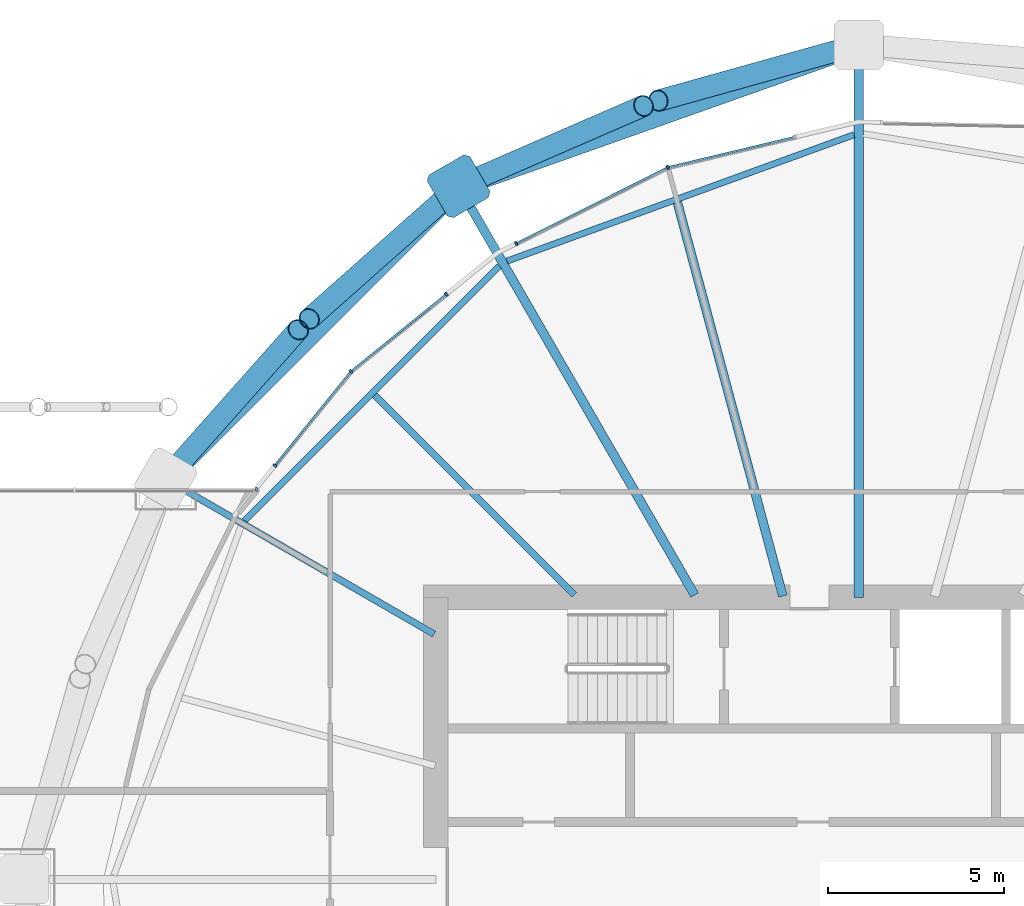
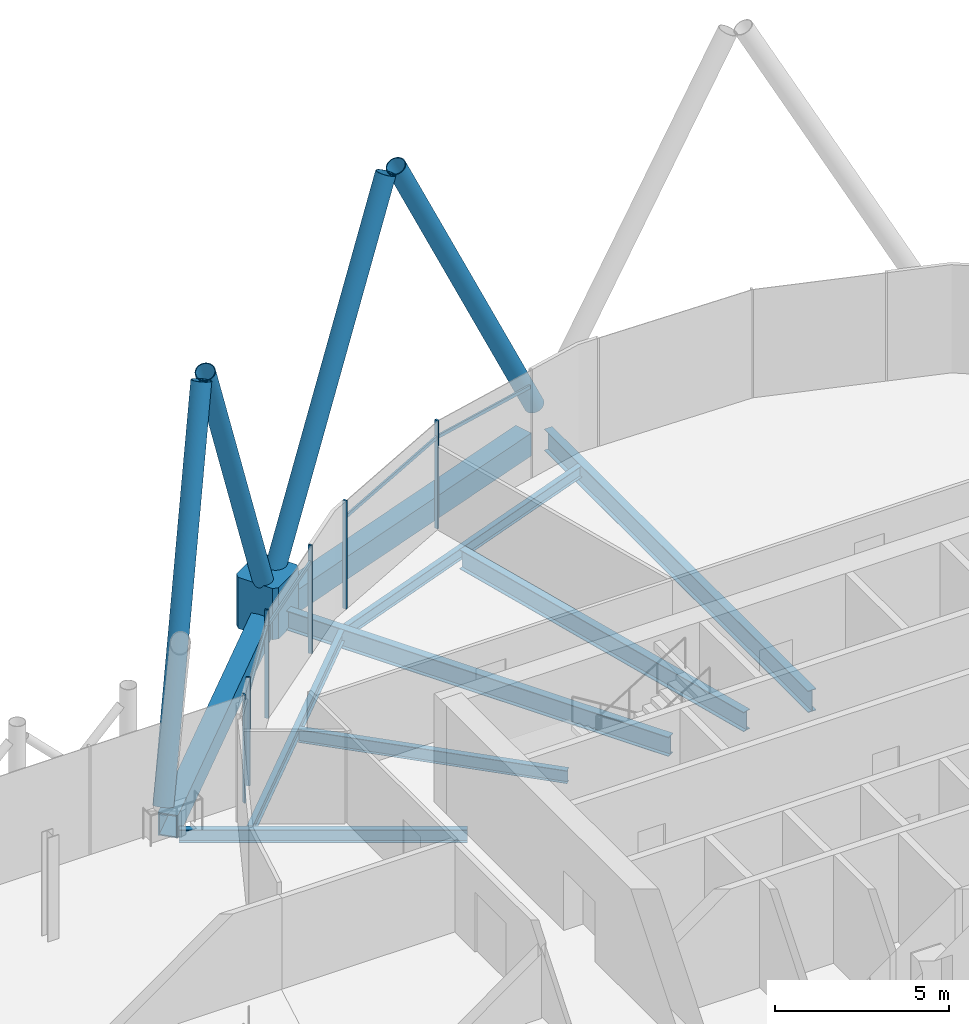
# One storey, part 17 of 35: 15 members, 9 beams, 2 elements without a shape of their own.
"""IFC4 building model written with IfcOpenShell, lengths in metres."""

from ifc_helpers import new_model, si_unit, direction, frame, origin, origin_2d, place, context, subcontext, project, spatial, polyline, rectangle, hollow_rectangle, hollow_circle, i_section, outline, extrude, material, material_profile, profile_set, type_object, element, aggregate, save


model = new_model("IFC4")

# Units and contexts
model_context = context("Model", 3, precision=1e-05, world=origin(), true_north=direction((0.0, 1.0)))
body_context = subcontext(model_context, "Body", "Model", "MODEL_VIEW")
ifc_project = project(units=[si_unit("LENGTHUNIT", "METRE"), si_unit("AREAUNIT", "SQUARE_METRE"), si_unit("VOLUMEUNIT", "CUBIC_METRE"), si_unit("PLANEANGLEUNIT", "RADIAN"), si_unit("MASSUNIT", "GRAM", prefix="KILO")], contexts=[model_context])

# Site, building, storey
site_placement = place(None, origin())
site = spatial("IfcSite", under=ifc_project, at=site_placement, CompositionType="ELEMENT")
building_placement = place(site_placement, origin())
building = spatial("IfcBuilding", under=site, at=building_placement, Name="Rimbun Link Towers", CompositionType="ELEMENT")
storey_placement = place(building_placement, frame((0.0, 0.0, 146.800048828125)))
storey = spatial("IfcBuildingStorey", under=building, at=storey_placement, Name="L35", CompositionType="ELEMENT", Elevation=146.800048828125)

# Curtain wall, members
ifc_material_1 = material(Name="Aluminium 6063-T6 and low-iron glass", Category="aluminium")
curtain_wall_type = type_object("IfcCurtainWallType", Name="CW4 link block wall", PredefinedType="NOTDEFINED", material=ifc_material_1)
curtain_wall_1_placement = place(storey_placement, origin())
curtain_wall_1 = element("IfcCurtainWall", 1, at=curtain_wall_1_placement, inside=storey, type_object=curtain_wall_type, Name="CW4 L35 T2", PredefinedType="NOTDEFINED")
ifc_material_2 = material(Name="Aluminium 6063-T6", Category="aluminium")
ifc_material_profile_1 = material_profile(ifc_material_2, rectangle(XDim=0.1201171875, YDim=0.06005859375, at=origin_2d()), Name="MULLION 60X120")
ifc_profile_set_1 = profile_set([ifc_material_profile_1], Name="Aluminium 6063-T6")
member_type_1 = type_object("IfcMemberType", Name="CW4 mullion 60X120", PredefinedType="MULLION", material=ifc_profile_set_1)
member_1_placement = place(storey_placement, frame((26.332763671875, 20.197021484375, 0.0), z_axis=(0.0, 0.0, 1.0), x_axis=(-0.342963066451, 0.939348888886, 0.0)))
member_1 = element("IfcMember", 2, at=member_1_placement, type_object=member_type_1, Name="CW4 mullion", PredefinedType="MULLION", context=body_context, shape_type="SweptSolid", body=[
    extrude(rectangle(XDim=0.1201171875, YDim=0.06005859375, at=origin_2d()), origin(), (0.0, 0.0, 1.0), 3.800048828125),
])
member_2_placement = place(storey_placement, frame((22.03173828125, 18.03759765625, 0.0), z_axis=(0.0, 0.0, 1.0), x_axis=(-0.448781608432, 0.893641464981, 0.0)))
member_2 = element("IfcMember", 3, at=member_2_placement, type_object=member_type_1, Name="CW4 mullion", PredefinedType="MULLION", context=body_context, shape_type="SweptSolid", body=[
    extrude(rectangle(XDim=0.1201171875, YDim=0.06005859375, at=origin_2d()), origin(), (0.0, 0.0, 1.0), 3.800048828125),
])
member_3_placement = place(storey_placement, frame((17.34228515625, 14.40771484375, 0.0), z_axis=(0.0, 0.0, 1.0), x_axis=(-0.707106781187, 0.707106781187, 0.0)))
member_3 = element("IfcMember", 4, at=member_3_placement, type_object=member_type_1, Name="CW4 mullion", PredefinedType="MULLION", context=body_context, shape_type="SweptSolid", body=[
    extrude(rectangle(XDim=0.1201171875, YDim=0.06005859375, at=origin_2d()), origin(), (0.0, 0.0, 1.0), 3.800048828125),
])
member_4_placement = place(storey_placement, frame((20.046875, 16.597412109375, 0.0), z_axis=(0.0, 0.0, 1.0), x_axis=(-0.629158779809, 0.777276803841, 0.0)))
member_4 = element("IfcMember", 5, at=member_4_placement, type_object=member_type_1, Name="CW4 mullion", PredefinedType="MULLION", context=body_context, shape_type="SweptSolid", body=[
    extrude(rectangle(XDim=0.1201171875, YDim=0.06005859375, at=origin_2d()), origin(), (0.0, 0.0, 1.0), 3.800048828125),
])
member_5_placement = place(storey_placement, frame((15.18408203125, 11.7421875, 0.0), z_axis=(0.0, 0.0, 1.0), x_axis=(-0.777276803841, 0.629158779809, 0.0)))
member_5 = element("IfcMember", 6, at=member_5_placement, type_object=member_type_1, Name="CW4 mullion", PredefinedType="MULLION", context=body_context, shape_type="SweptSolid", body=[
    extrude(rectangle(XDim=0.1201171875, YDim=0.06005859375, at=origin_2d()), origin(), (0.0, 0.0, 1.0), 3.800048828125),
])

# Curtain wall, member
curtain_wall_2_placement = place(storey_placement, origin())
curtain_wall_2 = element("IfcCurtainWall", 7, at=curtain_wall_2_placement, inside=storey, type_object=curtain_wall_type, Name="CW4 L35 LB", PredefinedType="NOTDEFINED")
member_6_placement = place(storey_placement, frame((14.66064453125, 11.06005859375, 0.0), z_axis=(0.0, 0.0, 1.0), x_axis=(0.0, 1.0, 0.0)))
member_6 = element("IfcMember", 8, at=member_6_placement, type_object=member_type_1, Name="CW4 mullion", PredefinedType="MULLION", context=body_context, shape_type="SweptSolid", body=[
    extrude(rectangle(XDim=0.1201171875, YDim=0.06005859375, at=origin_2d()), origin(), (0.0, 0.0, 1.0), 3.800048828125),
])
aggregate(curtain_wall_2, [member_6])

# Member
ifc_material_3 = material(Name="Aluminium 6063-T6", Category="aluminium")
ifc_material_profile_2 = material_profile(ifc_material_3, rectangle(XDim=0.06005859375, YDim=0.1201171875, at=origin_2d()), Name="TRANSOM 60X120")
ifc_profile_set_2 = profile_set([ifc_material_profile_2], Name="Aluminium 6063-T6")
member_type_2 = type_object("IfcMemberType", Name="CW4 transom 60X120", PredefinedType="USERDEFINED", material=ifc_profile_set_2)
member_7_placement = place(storey_placement, frame((26.368896484375, 20.2041015625, 3.199951171875), z_axis=(0.972585489627, 0.232545619967, 0.0), x_axis=(-0.232545619967, 0.972585489627, 0.0)))
member_7 = element("IfcMember", 9, at=member_7_placement, type_object=member_type_2, Name="CW4 transom", ObjectType="TRANSOM", PredefinedType="USERDEFINED", context=body_context, shape_type="SweptSolid", body=[
    extrude(rectangle(XDim=0.06005859375, YDim=0.1201171875, at=origin_2d()), origin(), (0.0, 0.0, 1.0), 3.638916015625),
])

member_8_placement = place(storey_placement, frame((22.0595703125, 18.049072265625, 3.199951171875), z_axis=(0.893633550107, 0.448797368668, 0.0), x_axis=(-0.448797368668, 0.893633550107, 0.0)))
member_8 = element("IfcMember", 10, at=member_8_placement, type_object=member_type_2, Name="CW4 transom", ObjectType="TRANSOM", PredefinedType="USERDEFINED", context=body_context, shape_type="SweptSolid", body=[
    extrude(rectangle(XDim=0.06005859375, YDim=0.1201171875, at=origin_2d()), origin(), (0.0, 0.0, 1.0), 4.745849609375),
])

member_9_placement = place(storey_placement, frame((17.37158203125, 14.42919921875, 3.199951171875), z_axis=(0.777248201938, 0.629194113596, 0.0), x_axis=(-0.629194113596, 0.777248201938, 0.0)))
member_9 = element("IfcMember", 11, at=member_9_placement, type_object=member_type_2, Name="CW4 transom", ObjectType="TRANSOM", PredefinedType="USERDEFINED", context=body_context, shape_type="SweptSolid", body=[
    extrude(rectangle(XDim=0.06005859375, YDim=0.1201171875, at=origin_2d()), origin(), (0.0, 0.0, 1.0), 3.413330078125),
])

member_10_placement = place(storey_placement, frame((15.20458984375, 11.76416015625, 3.199951171875), z_axis=(0.629181523638, 0.77725839353, 0.0), x_axis=(-0.77725839353, 0.629181523638, 0.0)))
member_10 = element("IfcMember", 12, at=member_10_placement, type_object=member_type_2, Name="CW4 transom", ObjectType="TRANSOM", PredefinedType="USERDEFINED", context=body_context, shape_type="SweptSolid", body=[
    extrude(rectangle(XDim=0.06005859375, YDim=0.1201171875, at=origin_2d()), origin(), (0.0, 0.0, 1.0), 3.363525390625),
])

aggregate(curtain_wall_1, [member_1, member_2, member_3, member_4, member_5, member_7, member_8, member_9, member_10])

# Members
ifc_material_4 = material(Name="Steel S355J2H", Category="steel")
ifc_material_profile_3 = material_profile(ifc_material_4, hollow_circle(Radius=0.3046875, WallThickness=0.02490234375, at=origin_2d()), Name="Diagrid diagonal CHS 610x25")
ifc_profile_set_3 = profile_set([ifc_material_profile_3], Name="Steel S355J2H")
member_type_3 = type_object("IfcMemberType", Name="Diagrid diagonal CHS 610x25", PredefinedType="BRACE", material=ifc_profile_set_3)
member_11_placement = place(storey_placement, frame((31.532470703125, 23.620361328125, 0.446044921875), z_axis=(-0.435251369799, -0.121506621517, 0.892071962353), x_axis=(0.268883393148, -0.963172736787, 0.0)))
element("IfcMember", 13, at=member_11_placement, inside=storey, type_object=member_type_3, Name="Diagrid diagonal T2 L35-L38 03b", PredefinedType="BRACE", context=body_context, shape_type="SweptSolid", body=[
    extrude(hollow_circle(Radius=0.3046875, WallThickness=0.02490234375, at=origin_2d()), origin(), (0.0, 0.0, 1.0), 12.56396484375),
])
member_12_placement = place(storey_placement, frame((20.599609375, 19.7509765625, 0.44873046875), z_axis=(0.404213171371, 0.175805244694, 0.89761028739), x_axis=(-0.398841326431, 0.917019954162, 0.0)))
element("IfcMember", 14, at=member_12_placement, inside=storey, type_object=member_type_3, Name="Diagrid diagonal T2 L35-L38 05a", PredefinedType="BRACE", context=body_context, shape_type="SweptSolid", body=[
    extrude(hollow_circle(Radius=0.3046875, WallThickness=0.02490234375, at=origin_2d()), origin(), (0.0, 0.0, 1.0), 12.480224609375),
])
for number, where, z_axis, x_axis, name in (
    (15, (20.23388671875, 19.517822265625, 0.449462890625), (-0.327239008275, -0.290371700263, 0.89922127819), (0.663715684922, -0.747984952782, 0.0), "Diagrid diagonal T2 L35-L38 05b"),
    (16, (12.232177734375, 11.51611328125, 0.449462890625), (0.290371700263, 0.327239008275, 0.89922127819), (-0.747984952782, 0.663715684922, 0.0), "Diagrid diagonal T2 L35-L38 07a"),
):
    element("IfcMember", number, at=place(storey_placement, frame(where, z_axis=z_axis, x_axis=x_axis)), inside=storey, type_object=member_type_3, Name=name, PredefinedType="BRACE", context=body_context, shape_type="SweptSolid", body=[
        extrude(hollow_circle(Radius=0.3046875, WallThickness=0.02490234375, at=origin_2d()), origin(), (0.0, 0.0, 1.0), 12.456298828125),
    ])
ifc_material_5 = material(Name="Cast steel G20Mn5+QT, Rp0.2 300 MPa", Category="steel")
ifc_material_profile_4 = material_profile(ifc_material_5, outline(polyline([(0.699951171875, -0.570068359375), (0.699951171875, 0.570068359375), (0.570068359375, 0.699951171875), (-0.570068359375, 0.699951171875), (-0.699951171875, 0.570068359375), (-0.699951171875, -0.570068359375), (-0.570068359375, -0.699951171875), (0.570068359375, -0.699951171875), (0.699951171875, -0.570068359375)])), Name="NODE 1400x1400")
ifc_profile_set_4 = profile_set([ifc_material_profile_4], Name="Cast steel G20Mn5+QT, Rp0.2 300 MPa")
member_type_4 = type_object("IfcMemberType", Name="Diagrid node cast 1400", PredefinedType="USERDEFINED", material=ifc_profile_set_4)
member_13_placement = place(storey_placement, frame((20.3974609375, 19.6630859375, -0.900146484375), z_axis=(0.0, 0.0, 1.0), x_axis=(-0.5, 0.866025403784, 0.0)))
element("IfcMember", 17, at=member_13_placement, inside=storey, type_object=member_type_4, Name="Diagrid node L35 05", ObjectType="Diagrid node", PredefinedType="USERDEFINED", context=body_context, shape_type="SweptSolid", body=[
    extrude(outline(polyline([(0.699951171875, -0.570068359375), (0.699951171875, 0.570068359375), (0.570068359375, 0.699951171875), (-0.570068359375, 0.699951171875), (-0.699951171875, 0.570068359375), (-0.699951171875, -0.570068359375), (-0.570068359375, -0.699951171875), (0.570068359375, -0.699951171875), (0.699951171875, -0.570068359375)])), origin(), (0.0, 0.0, 1.0), 1.800048828125),
])

# Beams
ifc_material_6 = material(Name="Steel S355J2", Category="steel")
ifc_material_profile_5 = material_profile(ifc_material_6, hollow_rectangle(XDim=0.60009765625, YDim=0.800048828125, WallThickness=0.0400390625, at=origin_2d()), Name="Exoskeleton ring girder BOX 600x800x40")
ifc_profile_set_5 = profile_set([ifc_material_profile_5], Name="Steel S355J2")
beam_type_1 = type_object("IfcBeamType", Name="Exoskeleton ring girder BOX 600x800x40", PredefinedType="BEAM", material=ifc_profile_set_5)
beam_1_placement = place(storey_placement, frame((31.090087890625, 23.447509765625, -0.56005859375), z_axis=(-0.942700295924, -0.333640753003, 0.0), x_axis=(0.333640753003, -0.942700295924, 0.0)))
element("IfcBeam", 18, at=beam_1_placement, inside=storey, type_object=beam_type_1, Name="Exoskeleton ring girder L35 01", PredefinedType="BEAM", context=body_context, shape_type="SweptSolid", body=[
    extrude(hollow_rectangle(XDim=0.60009765625, YDim=0.800048828125, WallThickness=0.0400390625, at=origin_2d()), origin(), (0.0, 0.0, 1.0), 10.642578125),
])
beam_2_placement = place(storey_placement, frame((19.902587890625, 19.168212890625, -0.56005859375), z_axis=(-0.707106781187, -0.707106781187, 0.0), x_axis=(0.707106781187, -0.707106781187, 0.0)))
element("IfcBeam", 19, at=beam_2_placement, inside=storey, type_object=beam_type_1, Name="Exoskeleton ring girder L35 02", PredefinedType="BEAM", context=body_context, shape_type="SweptSolid", body=[
    extrude(hollow_rectangle(XDim=0.60009765625, YDim=0.800048828125, WallThickness=0.0400390625, at=origin_2d()), origin(), (0.0, 0.0, 1.0), 10.353271484375),
])
ifc_material_7 = material(Name="Steel S355J2", Category="steel")
ifc_material_profile_6 = material_profile(ifc_material_7, i_section(OverallWidth=0.177978515625, OverallDepth=0.406494140625, WebThickness=0.0078125, FlangeThickness=0.0126953125, at=origin_2d()), Name="UB 406x178x60")
ifc_profile_set_6 = profile_set([ifc_material_profile_6], Name="Steel S355J2")
beam_type_2 = type_object("IfcBeamType", Name="UB 406x178x60", PredefinedType="BEAM", material=ifc_profile_set_6)
beam_3_placement = place(storey_placement, frame((31.61572265625, 21.125244140625, -0.38330078125), z_axis=(-0.9396232207, -0.342210758337, 0.0), x_axis=(0.342210758337, -0.9396232207, 0.0)))
element("IfcBeam", 20, at=beam_3_placement, inside=storey, type_object=beam_type_2, Name="Edge beam T2 L35 03-05", PredefinedType="BEAM", context=body_context, shape_type="SweptSolid", body=[
    extrude(i_section(OverallWidth=0.177978515625, OverallDepth=0.406494140625, WebThickness=0.0078125, FlangeThickness=0.0126953125, at=origin_2d()), origin(), (0.0, 0.0, 1.0), 10.477294921875),
])
beam_4_placement = place(storey_placement, frame((21.555419921875, 17.40185546875, -0.38330078125), z_axis=(-0.707106781187, -0.707106781187, 0.0), x_axis=(0.707106781187, -0.707106781187, 0.0)))
element("IfcBeam", 21, at=beam_4_placement, inside=storey, type_object=beam_type_2, Name="Edge beam T2 L35 05-07", PredefinedType="BEAM", context=body_context, shape_type="SweptSolid", body=[
    extrude(i_section(OverallWidth=0.177978515625, OverallDepth=0.406494140625, WebThickness=0.0078125, FlangeThickness=0.0126953125, at=origin_2d()), origin(), (0.0, 0.0, 1.0), 10.225830078125),
])
ifc_material_8 = material(Name="Steel S355J2", Category="steel")
ifc_material_profile_7 = material_profile(ifc_material_8, i_section(OverallWidth=0.18994140625, OverallDepth=0.453369140625, WebThickness=0.008544921875, FlangeThickness=0.0126953125, at=origin_2d()), Name="UB 457x191x67")
ifc_profile_set_7 = profile_set([ifc_material_profile_7], Name="Steel S355J2")
beam_type_3 = type_object("IfcBeamType", Name="UB 457x191x67", PredefinedType="BEAM", material=ifc_profile_set_7)
beam_5_placement = place(storey_placement, frame((23.68212890625, 8.06787109375, -0.40673828125), z_axis=(-0.707106781187, 0.707106781187, 0.0), x_axis=(-0.707106781187, -0.707106781187, 0.0)))
element("IfcBeam", 22, at=beam_5_placement, inside=storey, type_object=beam_type_3, Name="Radial beam T2 L35 06", PredefinedType="BEAM", context=body_context, shape_type="SweptSolid", body=[
    extrude(i_section(OverallWidth=0.18994140625, OverallDepth=0.453369140625, WebThickness=0.008544921875, FlangeThickness=0.0126953125, at=origin_2d()), origin(), (0.0, 0.0, 1.0), 8.013916015625),
])
beam_6_placement = place(storey_placement, frame((19.70166015625, 6.9560546875, -0.40673828125), z_axis=(-0.866016932823, 0.500014671848, 0.0), x_axis=(-0.500014671848, -0.866016932823, 0.0)))
element("IfcBeam", 23, at=beam_6_placement, inside=storey, type_object=beam_type_3, Name="Radial beam T2 L35 07", PredefinedType="BEAM", context=body_context, shape_type="SweptSolid", body=[
    extrude(i_section(OverallWidth=0.18994140625, OverallDepth=0.453369140625, WebThickness=0.008544921875, FlangeThickness=0.0126953125, at=origin_2d()), origin(), (0.0, 0.0, 1.0), 8.292724609375),
])
ifc_material_9 = material(Name="Steel S355J2", Category="steel")
ifc_material_profile_8 = material_profile(ifc_material_9, i_section(OverallWidth=0.253662109375, OverallDepth=0.68359375, WebThickness=0.012451171875, FlangeThickness=0.01904296875, at=origin_2d()), Name="UB 686x254x140")
ifc_profile_set_8 = profile_set([ifc_material_profile_8], Name="Steel S355J2")
beam_type_4 = type_object("IfcBeamType", Name="UB 686x254x140", PredefinedType="BEAM", material=ifc_profile_set_8)
beam_7_placement = place(storey_placement, frame((29.597412109375, 8.03369140625, -0.521728515625), z_axis=(-0.25881874375, 0.965925907036, 0.0), x_axis=(-0.965925907036, -0.25881874375, 0.0)))
element("IfcBeam", 24, at=beam_7_placement, inside=storey, type_object=beam_type_4, Name="Radial beam T2 L35 04", PredefinedType="BEAM", context=body_context, shape_type="SweptSolid", body=[
    extrude(i_section(OverallWidth=0.253662109375, OverallDepth=0.68359375, WebThickness=0.012451171875, FlangeThickness=0.01904296875, at=origin_2d()), origin(), (0.0, 0.0, 1.0), 11.564697265625),
])
beam_8_placement = place(storey_placement, frame((27.093994140625, 8.064208984375, -0.521728515625), z_axis=(-0.49999837302, 0.86602634312, 0.0), x_axis=(-0.86602634312, -0.49999837302, 0.0)))
element("IfcBeam", 25, at=beam_8_placement, inside=storey, type_object=beam_type_4, Name="Radial beam T2 L35 05", PredefinedType="BEAM", context=body_context, shape_type="SweptSolid", body=[
    extrude(i_section(OverallWidth=0.253662109375, OverallDepth=0.68359375, WebThickness=0.012451171875, FlangeThickness=0.01904296875, at=origin_2d()), origin(), (0.0, 0.0, 1.0), 12.89306640625),
])
ifc_material_10 = material(Name="Steel S355J2", Category="steel")
ifc_material_profile_9 = material_profile(ifc_material_10, i_section(OverallWidth=0.2666015625, OverallDepth=0.76220703125, WebThickness=0.014404296875, FlangeThickness=0.021484375, at=origin_2d()), Name="UB 762x267x173")
ifc_profile_set_9 = profile_set([ifc_material_profile_9], Name="Steel S355J2")
beam_type_5 = type_object("IfcBeamType", Name="UB 762x267x173", PredefinedType="BEAM", material=ifc_profile_set_9)
beam_9_placement = place(storey_placement, frame((31.75, 8.0009765625, -0.56103515625), z_axis=(0.0, 1.0, 0.0), x_axis=(-1.0, 0.0, 0.0)))
element("IfcBeam", 26, at=beam_9_placement, inside=storey, type_object=beam_type_5, Name="Radial beam T2 L35 03", PredefinedType="BEAM", context=body_context, shape_type="SweptSolid", body=[
    extrude(i_section(OverallWidth=0.2666015625, OverallDepth=0.76220703125, WebThickness=0.014404296875, FlangeThickness=0.021484375, at=origin_2d()), origin(), (0.0, 0.0, 1.0), 15.18017578125),
])

save(model, "model.ifc")
